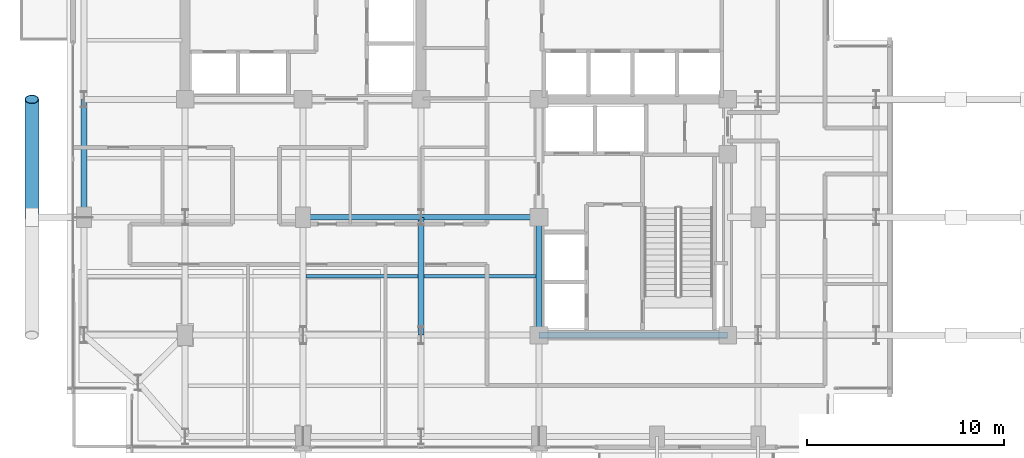
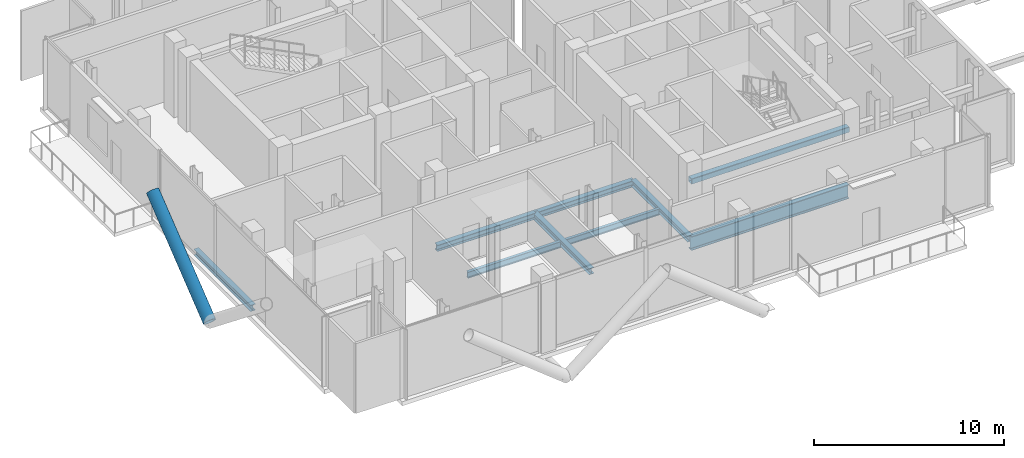
# One storey, part 4 of 22: 8 beams, 2 members.
"""IFC4 building model written with IfcOpenShell, lengths in metres."""

from ifc_helpers import new_model, si_unit, direction, frame, origin, origin_2d, place, context, subcontext, project, spatial, hollow_rectangle, hollow_circle, i_section, extrude, material, material_profile, profile_set, type_object, element, save


model = new_model("IFC4")

# Units and contexts
model_context = context("Model", 3, precision=1e-05, world=origin(), true_north=direction((0.0, 1.0)))
body_context = subcontext(model_context, "Body", "Model", "MODEL_VIEW")
ifc_project = project(units=[si_unit("LENGTHUNIT", "METRE"), si_unit("AREAUNIT", "SQUARE_METRE"), si_unit("VOLUMEUNIT", "CUBIC_METRE"), si_unit("PLANEANGLEUNIT", "RADIAN"), si_unit("MASSUNIT", "GRAM", prefix="KILO"), si_unit("THERMODYNAMICTEMPERATUREUNIT", "KELVIN"), si_unit("POWERUNIT", "WATT")], contexts=[model_context])

# Site, building, storey
site_placement = place(None, origin())
site = spatial("IfcSite", under=ifc_project, at=site_placement, CompositionType="ELEMENT")
building_placement = place(site_placement, origin())
building = spatial("IfcBuilding", under=site, at=building_placement, Name="Svarakhadi Broadcast Tower", CompositionType="ELEMENT")
storey_placement = place(building_placement, frame((0.0, 0.0, 199.199951171875)))
storey = spatial("IfcBuildingStorey", under=building, at=storey_placement, Name="L49", CompositionType="ELEMENT", Elevation=199.199951171875)

# Beams
ifc_material_1 = material(Name="Steel S355J2 (IS 2062 E350C)", Category="steel")
ifc_material_profile_1 = material_profile(ifc_material_1, i_section(OverallWidth=0.179931640625, OverallDepth=0.39990234375, WebThickness=0.008544921875, FlangeThickness=0.013427734375, FilletRadius=0.02099609375, at=origin_2d()), Name="NPB 400x180x66")
ifc_profile_set_1 = profile_set([ifc_material_profile_1], Name="Steel S355J2 (IS 2062 E350C)")
beam_type_1 = type_object("IfcBeamType", Name="Beam_NPB400", PredefinedType="BEAM", material=ifc_profile_set_1)
for number, where, z_axis, x_axis, name in (
    (1, (12.159912109375, 9.0, -0.474853515625), (1.0, 0.0, 0.0), (0.0, 1.0, 0.0), "L49 Secondary Composite Beam SB010"),
    (2, (18.159912109375, 9.0, -0.474853515625), (1.0, 0.0, 0.0), (0.0, 1.0, 0.0), "L49 Secondary Composite Beam SB014"),
):
    element("IfcBeam", number, at=place(storey_placement, frame(where, z_axis=z_axis, x_axis=x_axis)), inside=storey, type_object=beam_type_1, Name=name, PredefinedType="BEAM", context=body_context, shape_type="SweptSolid", body=[
        extrude(i_section(OverallWidth=0.179931640625, OverallDepth=0.39990234375, WebThickness=0.008544921875, FlangeThickness=0.013427734375, FilletRadius=0.02099609375, at=origin_2d()), origin(), (0.0, 0.0, 1.0), 5.68017578125),
    ])

# Member
ifc_material_2 = material(Name="Steel S460ML (IS 2062 E450BR)", Category="steel")
ifc_material_profile_2 = material_profile(ifc_material_2, hollow_circle(Radius=0.35546875, WallThickness=0.034912109375, at=origin_2d()), Name="CHS 711x35")
ifc_profile_set_2 = profile_set([ifc_material_profile_2], Name="Steel S460ML (IS 2062 E450BR)")
member_type_1 = type_object("IfcMemberType", Name="Exo_Brace_CHS711", PredefinedType="BRACE", material=ifc_profile_set_2)
member_1_placement = place(storey_placement, frame((-1.800048828125, 12.0, -0.43701171875), z_axis=(0.0, 0.782447330292, 0.622716769742), x_axis=(-1.0, 0.0, 0.0)))
element("IfcMember", 3, at=member_1_placement, inside=storey, type_object=member_type_1, Name="L49 Exposed Bronze Exoskeleton Diagonal W05", PredefinedType="BRACE", context=body_context, shape_type="SweptSolid", body=[
    extrude(hollow_circle(Radius=0.35546875, WallThickness=0.034912109375, at=origin_2d()), origin(), (0.0, 0.0, 1.0), 7.668212890625),
])

# Beams
ifc_material_profile_3 = material_profile(ifc_material_1, i_section(OverallWidth=0.300048828125, OverallDepth=0.39990234375, WebThickness=0.013427734375, FlangeThickness=0.02392578125, FilletRadius=0.027099609375, at=origin_2d()), Name="WPB 400x300x155")
ifc_profile_set_3 = profile_set([ifc_material_profile_3], Name="Steel S355J2 (IS 2062 E350C)")
beam_type_2 = type_object("IfcBeamType", Name="Girder_WPB400", PredefinedType="USERDEFINED", material=ifc_profile_set_3)
for number, where, z_axis, x_axis, name in (
    (4, (12.0, 12.0, -0.474853515625), (1.0, 0.0, 0.0), (0.0, 1.0, 0.0), "L49 Primary E-W Girder G017"),
    (5, (18.0, 12.0, -0.474853515625), (1.0, 0.0, 0.0), (0.0, 1.0, 0.0), "L49 Primary E-W Girder G018"),
    (6, (0.85009765625, 12.0, -0.474853515625), (0.0, 1.0, 0.0), (-1.0, 0.0, 0.0), "L49 Primary N-S Girder G034"),
    (7, (18.0, 6.0, -0.474853515625), (0.0, 1.0, 0.0), (-1.0, 0.0, 0.0), "L49 Primary N-S Girder G047"),
    (8, (24.0, 6.0, -0.474853515625), (0.0, 1.0, 0.0), (-1.0, 0.0, 0.0), "L49 Primary N-S Girder G052"),
):
    element("IfcBeam", number, at=place(storey_placement, frame(where, z_axis=z_axis, x_axis=x_axis)), inside=storey, type_object=beam_type_2, Name=name, ObjectType="GIRDER", PredefinedType="USERDEFINED", context=body_context, shape_type="SweptSolid", body=[
        extrude(i_section(OverallWidth=0.300048828125, OverallDepth=0.39990234375, WebThickness=0.013427734375, FlangeThickness=0.02392578125, FilletRadius=0.027099609375, at=origin_2d()), origin(), (0.0, 0.0, 1.0), 6.0),
    ])
ifc_material_profile_4 = material_profile(ifc_material_2, i_section(OverallWidth=0.300048828125, OverallDepth=0.89990234375, WebThickness=0.0185546875, FlangeThickness=0.034912109375, FilletRadius=0.030029296875, at=origin_2d()), Name="WPB 900x300x291")
ifc_profile_set_4 = profile_set([ifc_material_profile_4], Name="Steel S460ML (IS 2062 E450BR)")
beam_type_3 = type_object("IfcBeamType", Name="Girder_WPB900", PredefinedType="USERDEFINED", material=ifc_profile_set_4)
beam_placement = place(storey_placement, frame((24.0, 6.0, -0.724853515625), z_axis=(1.0, 0.0, 0.0), x_axis=(0.0, 1.0, 0.0)))
element("IfcBeam", 9, at=beam_placement, inside=storey, type_object=beam_type_3, Name="L49 Primary E-W Girder G013", ObjectType="GIRDER", PredefinedType="USERDEFINED", context=body_context, shape_type="SweptSolid", body=[
    extrude(i_section(OverallWidth=0.300048828125, OverallDepth=0.89990234375, WebThickness=0.0185546875, FlangeThickness=0.034912109375, FilletRadius=0.030029296875, at=origin_2d()), origin(), (0.0, 0.0, 1.0), 9.60009765625),
])

# Member
ifc_material_profile_5 = material_profile(ifc_material_2, hollow_rectangle(XDim=0.35009765625, YDim=0.35009765625, WallThickness=0.01611328125, InnerFilletRadius=0.01611328125, OuterFilletRadius=0.031982421875, at=origin_2d()), Name="SHS 350x350x16")
ifc_profile_set_5 = profile_set([ifc_material_profile_5], Name="Steel S460ML (IS 2062 E450BR)")
member_type_2 = type_object("IfcMemberType", Name="Pool_Truss_Chord", PredefinedType="CHORD", material=ifc_profile_set_5)
member_2_placement = place(storey_placement, frame((24.0, 6.0, 3.275146484375), z_axis=(1.0, 0.0, 0.0), x_axis=(0.0, 1.0, 0.0)))
element("IfcMember", 10, at=member_2_placement, inside=storey, type_object=member_type_2, Name="L50 Sky Pool Cantilever Truss Chord PT-BCK1-1", PredefinedType="CHORD", context=body_context, shape_type="SweptSolid", body=[
    extrude(hollow_rectangle(XDim=0.35009765625, YDim=0.35009765625, WallThickness=0.01611328125, InnerFilletRadius=0.01611328125, OuterFilletRadius=0.031982421875, at=origin_2d()), origin(), (0.0, 0.0, 1.0), 9.60009765625),
])

save(model, "model.ifc")
